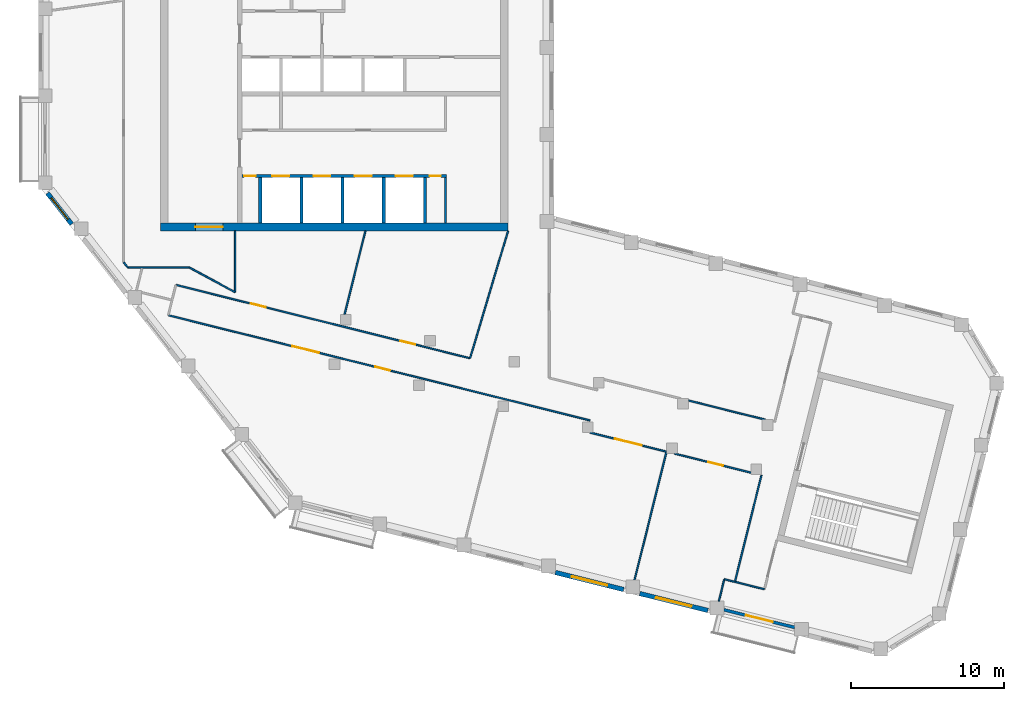
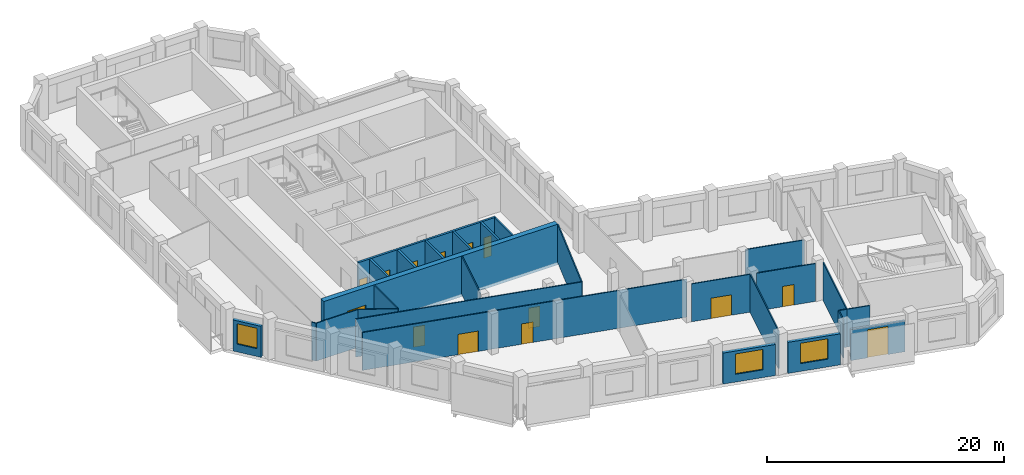
# One storey, part 3 of 8: 28 walls, 14 doors, 3 windows, 17 openings.
"""IFC4 building model written with IfcOpenShell, lengths in metres."""

from ifc_helpers import new_model, si_unit, direction, frame, frame_2d, origin, place, context, subcontext, project, spatial, rectangle, extrude, material, layer, layer_set, type_object, element, fill, save


model = new_model("IFC4")

# Units and contexts
model_context = context("Model", 3, precision=1e-05, world=origin(), true_north=direction((0.0, 1.0)))
body_context = subcontext(model_context, "Body", "Model", "MODEL_VIEW")
ifc_project = project(units=[si_unit("LENGTHUNIT", "METRE"), si_unit("AREAUNIT", "SQUARE_METRE"), si_unit("VOLUMEUNIT", "CUBIC_METRE"), si_unit("PLANEANGLEUNIT", "RADIAN"), si_unit("MASSUNIT", "GRAM", prefix="KILO")], contexts=[model_context])

# Site, building, storey
site_placement = place(None, origin())
site = spatial("IfcSite", under=ifc_project, at=site_placement, CompositionType="ELEMENT")
building_placement = place(site_placement, origin())
building = spatial("IfcBuilding", under=site, at=building_placement, Name="Meshkara Civic Tower", CompositionType="ELEMENT")
storey_placement = place(building_placement, frame((0.0, 0.0, 358.199951171875)))
storey = spatial("IfcBuildingStorey", under=building, at=storey_placement, Name="L82", CompositionType="ELEMENT", Elevation=358.199951171875)

# Wall
ifc_material_1 = material(Name="Blockwork", Category="masonry")
ifc_layer_1 = layer(ifc_material_1, 0.14990234375)
ifc_layer_set_1 = layer_set([ifc_layer_1], Name="Core partition 150")
wall_type_1 = type_object("IfcWallType", Name="Core partition 150", PredefinedType="PARTITIONING", material=ifc_layer_set_1)
wall_1_placement = place(storey_placement, frame((26.699951171875, 14.60009765625, 0.0), z_axis=(0.0, 0.0, 1.0), x_axis=(0.0, 1.0, 0.0)))
element("IfcWall", 1, at=wall_1_placement, inside=storey, type_object=wall_type_1, Name="L82-C025", PredefinedType="PARTITIONING", context=body_context, shape_type="SweptSolid", body=[
    extrude(rectangle(XDim=3.0, YDim=0.14990234375, at=frame_2d((1.5, 0.0))), origin(), (0.0, 0.0, 1.0), 3.900146484375),
])

# Wall, opening, door
ifc_material_2 = material(Name="Concrete C50", Category="concrete")
ifc_layer_2 = layer(ifc_material_2, 0.5)
ifc_layer_set_2 = layer_set([ifc_layer_2], Name="Core ring wall 500 C50")
wall_type_2 = type_object("IfcWallType", Name="Core ring wall 500 C50", PredefinedType="SHEAR", material=ifc_layer_set_2)
wall_2_placement = place(storey_placement, frame((8.0, 14.35009765625, -0.300048828125), z_axis=(0.0, 0.0, 1.0), x_axis=(1.0, 0.0, 0.0)))
wall_2 = element("IfcWall", 2, at=wall_2_placement, inside=storey, type_object=wall_type_2, Name="L82-C001", PredefinedType="SHEAR", context=body_context, shape_type="SweptSolid", body=[
    extrude(rectangle(XDim=22.800048828125, YDim=0.5, at=frame_2d((11.39990234375, 0.0))), origin(), (0.0, 0.0, 1.0), 4.2001953125),
])
opening_1_placement = place(wall_2_placement, frame((2.300048828125, 0.0, 0.300048828125)))
opening_1 = element("IfcOpeningElement", 3, at=opening_1_placement, cuts=wall_2, Name="Opening L82-K023", PredefinedType="OPENING", context=body_context, shape_type="SweptSolid", body=[
    extrude(rectangle(XDim=1.800048828125, YDim=2.10009765625, at=frame_2d((0.89990234375, 1.050048828125))), frame((0.0, 0.260009765625, 0.0), z_axis=(0.0, -1.0, 0.0), x_axis=(1.0, 0.0, 0.0)), (0.0, 0.0, 1.0), 0.52001953125),
])
ifc_material_3 = material(Name="Fire-rated door leaf in steel frame", Category="steel")
door_type_1 = type_object("IfcDoorType", Name="Core double door 1800 EI 60", OperationType="DOUBLE_DOOR_SINGLE_SWING", PredefinedType="DOOR", material=ifc_material_3)
door_1_placement = place(opening_1_placement, origin())
door_1 = element("IfcDoor", 4, at=door_1_placement, inside=storey, type_object=door_type_1, Name="L82-K023", OperationType="DOUBLE_DOOR_SINGLE_SWING", OverallHeight=2.10009765625, OverallWidth=1.800048828125, PredefinedType="DOOR", context=body_context, shape_type="SweptSolid", body=[
    extrude(rectangle(XDim=1.800048828125, YDim=2.10009765625, at=frame_2d((0.89990234375, 1.050048828125))), frame((0.0, 0.02490234375, 0.0), z_axis=(0.0, -1.0, 0.0), x_axis=(1.0, 0.0, 0.0)), (0.0, 0.0, 1.0), 0.050048828125),
])
fill(opening_1, door_1)

# Walls
ifc_material_4 = material(Name="Corridor wall 100")
ifc_layer_3 = layer(ifc_material_4, 0.10009765625)
ifc_layer_set_3 = layer_set([ifc_layer_3], Name="Corridor wall 100")
wall_type_3 = type_object("IfcWallType", Name="Corridor wall 100", PredefinedType="PARTITIONING", material=ifc_layer_set_3)
wall_3_placement = place(storey_placement, frame((5.60009765625, 12.0439453125, 0.0), z_axis=(0.0, 0.0, 1.0), x_axis=(0.614328236968, -0.789050579661, 0.0)))
element("IfcWall", 5, at=wall_3_placement, inside=storey, type_object=wall_type_3, Name="L82-W003", PredefinedType="PARTITIONING", context=body_context, shape_type="SweptSolid", body=[
    extrude(rectangle(XDim=0.43603515625, YDim=0.10009765625, at=frame_2d((0.218017578125, 0.0))), origin(), (0.0, 0.0, 1.0), 3.900146484375),
])
wall_4_placement = place(storey_placement, frame((5.867919921875, 11.699951171875, 0.0), z_axis=(0.0, 0.0, 1.0), x_axis=(1.0, 0.0, 0.0)))
element("IfcWall", 6, at=wall_4_placement, inside=storey, type_object=wall_type_3, Name="L82-W006", PredefinedType="PARTITIONING", context=body_context, shape_type="SweptSolid", body=[
    extrude(rectangle(XDim=4.031982421875, YDim=0.10009765625, at=frame_2d((2.01611328125, 0.0))), origin(), (0.0, 0.0, 1.0), 3.900146484375),
])

# Wall, openings, doors
wall_5_placement = place(storey_placement, frame((8.52099609375, 8.56689453125, 0.0), z_axis=(0.0, 0.0, 1.0), x_axis=(0.970303035129, -0.241892579506, 0.0)))
wall_5 = element("IfcWall", 7, at=wall_5_placement, inside=storey, type_object=wall_type_3, Name="L82-W007", PredefinedType="PARTITIONING", context=body_context, shape_type="SweptSolid", body=[
    extrude(rectangle(XDim=28.49951171875, YDim=0.10009765625, at=frame_2d((14.249755859375, 0.0))), origin(), (0.0, 0.0, 1.0), 3.900146484375),
])
opening_2_placement = place(wall_5_placement, frame((13.97998046875, 0.0, 0.0)))
opening_2 = element("IfcOpeningElement", 8, at=opening_2_placement, cuts=wall_5, Name="Opening L82-D003", PredefinedType="OPENING", context=body_context, shape_type="SweptSolid", body=[
    extrude(rectangle(XDim=1.0, YDim=2.10009765625, at=frame_2d((0.5, 1.050048828125))), frame((0.0, 0.06005859375, 0.0), z_axis=(0.0, -1.0, 0.0), x_axis=(1.0, 0.0, 0.0)), (0.0, 0.0, 1.0), 0.1201171875),
])
opening_3_placement = place(wall_5_placement, frame((8.3798828125, 0.0, 0.0)))
opening_3 = element("IfcOpeningElement", 9, at=opening_3_placement, cuts=wall_5, Name="Opening L82-D007", PredefinedType="OPENING", context=body_context, shape_type="SweptSolid", body=[
    extrude(rectangle(XDim=1.800048828125, YDim=2.10009765625, at=frame_2d((0.89990234375, 1.050048828125))), frame((0.0, 0.06005859375, 0.0), z_axis=(0.0, -1.0, 0.0), x_axis=(1.0, 0.0, 0.0)), (0.0, 0.0, 1.0), 0.1201171875),
])
ifc_material_5 = material(Name="Door 1000 x 2100")
door_type_2 = type_object("IfcDoorType", Name="Door 1000 x 2100", OperationType="SINGLE_SWING_LEFT", PredefinedType="DOOR", material=ifc_material_5)
door_2_placement = place(opening_2_placement, origin())
door_2 = element("IfcDoor", 10, at=door_2_placement, inside=storey, type_object=door_type_2, Name="L82-D003", OperationType="SINGLE_SWING_LEFT", OverallHeight=2.10009765625, OverallWidth=1.0, PredefinedType="DOOR", context=body_context, shape_type="SweptSolid", body=[
    extrude(rectangle(XDim=1.0, YDim=2.10009765625, at=frame_2d((0.5, 1.050048828125))), frame((0.0, 0.02490234375, 0.0), z_axis=(0.0, -1.0, 0.0), x_axis=(1.0, 0.0, 0.0)), (0.0, 0.0, 1.0), 0.050048828125),
])
fill(opening_2, door_2)
ifc_material_6 = material(Name="Door pair 1800 x 2100")
door_type_3 = type_object("IfcDoorType", Name="Door pair 1800 x 2100", OperationType="SINGLE_SWING_LEFT", PredefinedType="DOOR", material=ifc_material_6)
door_3_placement = place(opening_3_placement, origin())
door_3 = element("IfcDoor", 11, at=door_3_placement, inside=storey, type_object=door_type_3, Name="L82-D007", OperationType="DOUBLE_DOOR_SINGLE_SWING", OverallHeight=2.10009765625, OverallWidth=1.800048828125, PredefinedType="DOOR", context=body_context, shape_type="SweptSolid", body=[
    extrude(rectangle(XDim=1.800048828125, YDim=2.10009765625, at=frame_2d((0.89990234375, 1.050048828125))), frame((0.0, 0.02490234375, 0.0), z_axis=(0.0, -1.0, 0.0), x_axis=(1.0, 0.0, 0.0)), (0.0, 0.0, 1.0), 0.050048828125),
])
fill(opening_3, door_3)

wall_6_placement = place(storey_placement, frame((9.01708984375, 10.55810546875, 0.0), z_axis=(0.0, 0.0, 1.0), x_axis=(0.970286089829, -0.241960542, 0.0)))
wall_6 = element("IfcWall", 12, at=wall_6_placement, inside=storey, type_object=wall_type_3, Name="L82-W008", PredefinedType="PARTITIONING", context=body_context, shape_type="SweptSolid", body=[
    extrude(rectangle(XDim=19.87939453125, YDim=0.10009765625, at=frame_2d((9.939697265625, 0.0))), origin(), (0.0, 0.0, 1.0), 3.900146484375),
])
opening_4_placement = place(wall_6_placement, frame((5.080078125, 0.0, 0.0)))
opening_4 = element("IfcOpeningElement", 13, at=opening_4_placement, cuts=wall_6, Name="Opening L82-D006", PredefinedType="OPENING", context=body_context, shape_type="SweptSolid", body=[
    extrude(rectangle(XDim=1.0, YDim=2.10009765625, at=frame_2d((0.5, 1.050048828125))), frame((0.0, 0.06005859375, 0.0), z_axis=(0.0, -1.0, 0.0), x_axis=(1.0, 0.0, 0.0)), (0.0, 0.0, 1.0), 0.1201171875),
])
opening_5_placement = place(wall_6_placement, frame((15.18408203125, 0.0, 0.0)))
opening_5 = element("IfcOpeningElement", 14, at=opening_5_placement, cuts=wall_6, Name="Opening L82-D008", PredefinedType="OPENING", context=body_context, shape_type="SweptSolid", body=[
    extrude(rectangle(XDim=1.0, YDim=2.10009765625, at=frame_2d((0.5, 1.050048828125))), frame((0.0, 0.06005859375, 0.0), z_axis=(0.0, -1.0, 0.0), x_axis=(1.0, 0.0, 0.0)), (0.0, 0.0, 1.0), 0.1201171875),
])
door_4_placement = place(opening_4_placement, origin())
door_4 = element("IfcDoor", 15, at=door_4_placement, inside=storey, type_object=door_type_2, Name="L82-D006", OperationType="SINGLE_SWING_LEFT", OverallHeight=2.10009765625, OverallWidth=1.0, PredefinedType="DOOR", context=body_context, shape_type="SweptSolid", body=[
    extrude(rectangle(XDim=1.0, YDim=2.10009765625, at=frame_2d((0.5, 1.050048828125))), frame((0.0, 0.02490234375, 0.0), z_axis=(0.0, -1.0, 0.0), x_axis=(1.0, 0.0, 0.0)), (0.0, 0.0, 1.0), 0.050048828125),
])
fill(opening_4, door_4)
door_5_placement = place(opening_5_placement, origin())
door_5 = element("IfcDoor", 16, at=door_5_placement, inside=storey, type_object=door_type_2, Name="L82-D008", OperationType="SINGLE_SWING_RIGHT", OverallHeight=2.10009765625, OverallWidth=1.0, PredefinedType="DOOR", context=body_context, shape_type="SweptSolid", body=[
    extrude(rectangle(XDim=1.0, YDim=2.10009765625, at=frame_2d((0.5, 1.050048828125))), frame((0.0, 0.02490234375, 0.0), z_axis=(0.0, -1.0, 0.0), x_axis=(1.0, 0.0, 0.0)), (0.0, 0.0, 1.0), 0.050048828125),
])
fill(opening_5, door_5)

# Walls
wall_7_placement = place(storey_placement, frame((9.89990234375, 11.699951171875, 0.0), z_axis=(0.0, 0.0, 1.0), x_axis=(0.87965147249, -0.475618846291, 0.0)))
element("IfcWall", 17, at=wall_7_placement, inside=storey, type_object=wall_type_3, Name="L82-W010", PredefinedType="PARTITIONING", context=body_context, shape_type="SweptSolid", body=[
    extrude(rectangle(XDim=3.410400390625, YDim=0.10009765625, at=frame_2d((1.705078125, 0.0))), origin(), (0.0, 0.0, 1.0), 3.900146484375),
])
wall_8_placement = place(storey_placement, frame((12.89990234375, 10.077880859375, 0.0), z_axis=(0.0, 0.0, 1.0), x_axis=(0.0, 1.0, 0.0)))
element("IfcWall", 18, at=wall_8_placement, inside=storey, type_object=wall_type_3, Name="L82-W015", PredefinedType="PARTITIONING", context=body_context, shape_type="SweptSolid", body=[
    extrude(rectangle(XDim=4.022216796875, YDim=0.10009765625, at=frame_2d((2.01123046875, 0.0))), origin(), (0.0, 0.0, 1.0), 3.900146484375),
])
wall_9_placement = place(storey_placement, frame((30.800048828125, 14.10009765625, 0.0), z_axis=(0.0, 0.0, 1.0), x_axis=(-0.286139929679, -0.958187842045, 0.0)))
element("IfcWall", 19, at=wall_9_placement, inside=storey, type_object=wall_type_3, Name="L82-W018", PredefinedType="PARTITIONING", context=body_context, shape_type="SweptSolid", body=[
    extrude(rectangle(XDim=8.716552734375, YDim=0.10009765625, at=frame_2d((4.3583984375, 0.0))), origin(), (0.0, 0.0, 1.0), 3.900146484375),
])

# Wall, opening, door
wall_10_placement = place(storey_placement, frame((36.179931640625, 0.873046875, 0.0), z_axis=(0.0, 0.0, 1.0), x_axis=(0.970323094186, -0.241812102446, 0.0)))
wall_10 = element("IfcWall", 20, at=wall_10_placement, inside=storey, type_object=wall_type_3, Name="L82-W021", PredefinedType="PARTITIONING", context=body_context, shape_type="SweptSolid", body=[
    extrude(rectangle(XDim=5.1611328125, YDim=0.10009765625, at=frame_2d((2.58056640625, 0.0))), origin(), (0.0, 0.0, 1.0), 3.900146484375),
])
opening_6_placement = place(wall_10_placement, frame((1.679931640625, 0.0, 0.0)))
opening_6 = element("IfcOpeningElement", 21, at=opening_6_placement, cuts=wall_10, Name="Opening L82-D004", PredefinedType="OPENING", context=body_context, shape_type="SweptSolid", body=[
    extrude(rectangle(XDim=1.800048828125, YDim=2.10009765625, at=frame_2d((0.89990234375, 1.050048828125))), frame((0.0, 0.06005859375, 0.0), z_axis=(0.0, -1.0, 0.0), x_axis=(1.0, 0.0, 0.0)), (0.0, 0.0, 1.0), 0.1201171875),
])
door_6_placement = place(opening_6_placement, origin())
door_6 = element("IfcDoor", 22, at=door_6_placement, inside=storey, type_object=door_type_3, Name="L82-D004", OperationType="DOUBLE_DOOR_SINGLE_SWING", OverallHeight=2.10009765625, OverallWidth=1.800048828125, PredefinedType="DOOR", context=body_context, shape_type="SweptSolid", body=[
    extrude(rectangle(XDim=1.800048828125, YDim=2.10009765625, at=frame_2d((0.89990234375, 1.050048828125))), frame((0.0, 0.02490234375, 0.0), z_axis=(0.0, -1.0, 0.0), x_axis=(1.0, 0.0, 0.0)), (0.0, 0.0, 1.0), 0.050048828125),
])
fill(opening_6, door_6)

wall_11_placement = place(storey_placement, frame((41.712890625, -0.506103515625, 0.0), z_axis=(0.0, 0.0, 1.0), x_axis=(0.970303472342, -0.241890825708, 0.0)))
wall_11 = element("IfcWall", 23, at=wall_11_placement, inside=storey, type_object=wall_type_3, Name="L82-W023", PredefinedType="PARTITIONING", context=body_context, shape_type="SweptSolid", body=[
    extrude(rectangle(XDim=5.167724609375, YDim=0.10009765625, at=frame_2d((2.583984375, 0.0))), origin(), (0.0, 0.0, 1.0), 3.900146484375),
])
opening_7_placement = place(wall_11_placement, frame((2.280029296875, 0.0, 0.0)))
opening_7 = element("IfcOpeningElement", 24, at=opening_7_placement, cuts=wall_11, Name="Opening L82-D002", PredefinedType="OPENING", context=body_context, shape_type="SweptSolid", body=[
    extrude(rectangle(XDim=1.0, YDim=2.10009765625, at=frame_2d((0.5, 1.050048828125))), frame((0.0, 0.06005859375, 0.0), z_axis=(0.0, -1.0, 0.0), x_axis=(1.0, 0.0, 0.0)), (0.0, 0.0, 1.0), 0.1201171875),
])
door_7_placement = place(opening_7_placement, origin())
door_7 = element("IfcDoor", 25, at=door_7_placement, inside=storey, type_object=door_type_2, Name="L82-D002", OperationType="SINGLE_SWING_LEFT", OverallHeight=2.10009765625, OverallWidth=1.0, PredefinedType="DOOR", context=body_context, shape_type="SweptSolid", body=[
    extrude(rectangle(XDim=1.0, YDim=2.10009765625, at=frame_2d((0.5, 1.050048828125))), frame((0.0, 0.02490234375, 0.0), z_axis=(0.0, -1.0, 0.0), x_axis=(1.0, 0.0, 0.0)), (0.0, 0.0, 1.0), 0.050048828125),
])
fill(opening_7, door_7)

# Walls
wall_12_placement = place(storey_placement, frame((45.669921875, -8.9130859375, 0.0), z_axis=(0.0, 0.0, 1.0), x_axis=(0.970307382734, -0.241875139301, 0.0)))
element("IfcWall", 26, at=wall_12_placement, inside=storey, type_object=wall_type_3, Name="L82-W025", PredefinedType="PARTITIONING", context=body_context, shape_type="SweptSolid", body=[
    extrude(rectangle(XDim=2.00048828125, YDim=0.10009765625, at=frame_2d((1.000244140625, 0.0))), origin(), (0.0, 0.0, 1.0), 3.900146484375),
])
wall_13_placement = place(storey_placement, frame((47.412109375, -1.927001953125, 0.0), z_axis=(0.0, 0.0, 1.0), x_axis=(-0.241969116819, -0.970283951483, 0.0)))
element("IfcWall", 27, at=wall_13_placement, inside=storey, type_object=wall_type_3, Name="L82-W026", PredefinedType="PARTITIONING", context=body_context, shape_type="SweptSolid", body=[
    extrude(rectangle(XDim=7.199951171875, YDim=0.10009765625, at=frame_2d((3.60009765625, 0.0))), origin(), (0.0, 0.0, 1.0), 3.900146484375),
])
wall_14_placement = place(storey_placement, frame((47.64111328125, 1.72607421875, 0.0), z_axis=(0.0, 0.0, 1.0), x_axis=(-0.97031439286, 0.241847015712, 0.0)))
element("IfcWall", 28, at=wall_14_placement, inside=storey, type_object=wall_type_3, Name="L82-W028", PredefinedType="PARTITIONING", context=body_context, shape_type="SweptSolid", body=[
    extrude(rectangle(XDim=5.172607421875, YDim=0.10009765625, at=frame_2d((2.58642578125, 0.0))), origin(), (0.0, 0.0, 1.0), 3.900146484375),
])

# Wall, opening, window
ifc_material_7 = material(Name="Insulated infill panel with bronze anodised aluminium cladding", Category="aluminium")
ifc_layer_4 = layer(ifc_material_7, 0.300048828125)
ifc_layer_set_4 = layer_set([ifc_layer_4], Name="EXTERNAL INFILL WALL 300")
wall_type_4 = type_object("IfcWallType", Name="EXTERNAL INFILL WALL 300", PredefinedType="SOLIDWALL", material=ifc_layer_set_4)
wall_15_placement = place(storey_placement, frame((0.60205078125, 16.572998046875, 0.0), z_axis=(0.0, 0.0, 1.0), x_axis=(0.61568999437, -0.787988471256, 0.0)))
wall_15 = element("IfcWall", 29, at=wall_15_placement, inside=storey, type_object=wall_type_4, Name="External wall", PredefinedType="SOLIDWALL", context=body_context, shape_type="SweptSolid", body=[
    extrude(rectangle(XDim=2.577392578125, YDim=0.300048828125, at=frame_2d((1.28857421875, 0.0))), origin(), (0.0, 0.0, 1.0), 3.199951171875),
])
opening_8_placement = place(wall_15_placement, frame((0.387939453125, 0.0, 0.800048828125)))
opening_8 = element("IfcOpeningElement", 30, at=opening_8_placement, cuts=wall_15, Name="Opening W9", PredefinedType="OPENING", context=body_context, shape_type="SweptSolid", body=[
    extrude(rectangle(XDim=1.800048828125, YDim=2.10009765625, at=frame_2d((0.89990234375, 1.050048828125))), frame((0.0, 0.159912109375, 0.0), z_axis=(0.0, -1.0, 0.0), x_axis=(1.0, 0.0, 0.0)), (0.0, 0.0, 1.0), 0.320068359375),
])
ifc_material_8 = material(Name="Tinted double glazing", Category="glass")
window_type_1 = type_object("IfcWindowType", Name="WINDOW 1800x2100", PartitioningType="DOUBLE_PANEL_VERTICAL", PredefinedType="WINDOW", material=ifc_material_8)
window_1_placement = place(opening_8_placement, origin())
window_1 = element("IfcWindow", 31, at=window_1_placement, inside=storey, type_object=window_type_1, Name="Window", OverallHeight=2.10009765625, OverallWidth=1.800048828125, PartitioningType="DOUBLE_PANEL_VERTICAL", PredefinedType="WINDOW", context=body_context, shape_type="SweptSolid", body=[
    extrude(rectangle(XDim=1.800048828125, YDim=2.10009765625, at=frame_2d((0.89990234375, 1.050048828125))), frame((0.0, 0.030029296875, 0.0), z_axis=(0.0, -1.0, 0.0), x_axis=(1.0, 0.0, 0.0)), (0.0, 0.0, 1.0), 0.06005859375),
])
fill(opening_8, window_1)

wall_16_placement = place(storey_placement, frame((33.89990234375, -8.298095703125, 0.0), z_axis=(0.0, 0.0, 1.0), x_axis=(0.970298093093, -0.241912402618, 0.0)))
wall_16 = element("IfcWall", 32, at=wall_16_placement, inside=storey, type_object=wall_type_4, Name="External wall", PredefinedType="SOLIDWALL", context=body_context, shape_type="SweptSolid", body=[
    extrude(rectangle(XDim=4.609130859375, YDim=0.300048828125, at=frame_2d((2.3046875, 0.0))), origin(), (0.0, 0.0, 1.0), 3.199951171875),
])
opening_9_placement = place(wall_16_placement, frame((1.10498046875, 0.0, 0.800048828125)))
opening_9 = element("IfcOpeningElement", 33, at=opening_9_placement, cuts=wall_16, Name="Opening W7", PredefinedType="OPENING", context=body_context, shape_type="SweptSolid", body=[
    extrude(rectangle(XDim=2.39990234375, YDim=2.10009765625, at=frame_2d((1.199951171875, 1.050048828125))), frame((0.0, 0.159912109375, 0.0), z_axis=(0.0, -1.0, 0.0), x_axis=(1.0, 0.0, 0.0)), (0.0, 0.0, 1.0), 0.320068359375),
])
ifc_material_9 = material(Name="Tinted double glazing", Category="glass")
window_type_2 = type_object("IfcWindowType", Name="WINDOW 2400x2100", PartitioningType="DOUBLE_PANEL_VERTICAL", PredefinedType="WINDOW", material=ifc_material_9)
window_2_placement = place(opening_9_placement, origin())
window_2 = element("IfcWindow", 34, at=window_2_placement, inside=storey, type_object=window_type_2, Name="Window", OverallHeight=2.10009765625, OverallWidth=2.39990234375, PartitioningType="DOUBLE_PANEL_VERTICAL", PredefinedType="WINDOW", context=body_context, shape_type="SweptSolid", body=[
    extrude(rectangle(XDim=2.39990234375, YDim=2.10009765625, at=frame_2d((1.199951171875, 1.050048828125))), frame((0.0, 0.030029296875, 0.0), z_axis=(0.0, -1.0, 0.0), x_axis=(1.0, 0.0, 0.0)), (0.0, 0.0, 1.0), 0.06005859375),
])
fill(opening_9, window_2)

wall_17_placement = place(storey_placement, frame((39.430908203125, -9.677001953125, 0.0), z_axis=(0.0, 0.0, 1.0), x_axis=(0.970285689791, -0.241962146187, 0.0)))
wall_17 = element("IfcWall", 35, at=wall_17_placement, inside=storey, type_object=wall_type_4, Name="External wall", PredefinedType="SOLIDWALL", context=body_context, shape_type="SweptSolid", body=[
    extrude(rectangle(XDim=4.608154296875, YDim=0.300048828125, at=frame_2d((2.30419921875, 0.0))), origin(), (0.0, 0.0, 1.0), 3.199951171875),
])
opening_10_placement = place(wall_17_placement, frame((1.10400390625, 0.0, 0.800048828125)))
opening_10 = element("IfcOpeningElement", 36, at=opening_10_placement, cuts=wall_17, Name="Opening W7", PredefinedType="OPENING", context=body_context, shape_type="SweptSolid", body=[
    extrude(rectangle(XDim=2.39990234375, YDim=2.10009765625, at=frame_2d((1.199951171875, 1.050048828125))), frame((0.0, 0.159912109375, 0.0), z_axis=(0.0, -1.0, 0.0), x_axis=(1.0, 0.0, 0.0)), (0.0, 0.0, 1.0), 0.320068359375),
])
window_3_placement = place(opening_10_placement, origin())
window_3 = element("IfcWindow", 37, at=window_3_placement, inside=storey, type_object=window_type_2, Name="Window", OverallHeight=2.10009765625, OverallWidth=2.39990234375, PartitioningType="DOUBLE_PANEL_VERTICAL", PredefinedType="WINDOW", context=body_context, shape_type="SweptSolid", body=[
    extrude(rectangle(XDim=2.39990234375, YDim=2.10009765625, at=frame_2d((1.199951171875, 1.050048828125))), frame((0.0, 0.030029296875, 0.0), z_axis=(0.0, -1.0, 0.0), x_axis=(1.0, 0.0, 0.0)), (0.0, 0.0, 1.0), 0.06005859375),
])
fill(opening_10, window_3)

# Wall, opening, door
ifc_material_10 = material(Name="Insulated infill panel with bronze anodised aluminium cladding", Category="aluminium")
ifc_layer_5 = layer(ifc_material_10, 0.199951171875)
ifc_layer_set_5 = layer_set([ifc_layer_5], Name="LOGGIA BACK WALL 200")
wall_type_5 = type_object("IfcWallType", Name="LOGGIA BACK WALL 200", PredefinedType="SOLIDWALL", material=ifc_layer_set_5)
wall_18_placement = place(storey_placement, frame((44.9541015625, -10.7451171875, 0.0), z_axis=(0.0, 0.0, 1.0), x_axis=(0.970334783127, -0.241765193223, 0.0)))
wall_18 = element("IfcWall", 38, at=wall_18_placement, inside=storey, type_object=wall_type_5, Name="Loggia wall", PredefinedType="SOLIDWALL", context=body_context, shape_type="SweptSolid", body=[
    extrude(rectangle(XDim=4.7724609375, YDim=0.199951171875, at=frame_2d((2.38623046875, 0.0))), origin(), (0.0, 0.0, 1.0), 3.199951171875),
])
opening_11_placement = place(wall_18_placement, frame((1.486083984375, 0.0, 0.0)))
opening_11 = element("IfcOpeningElement", 39, at=opening_11_placement, cuts=wall_18, Name="Opening L82-L004", PredefinedType="OPENING", context=body_context, shape_type="SweptSolid", body=[
    extrude(rectangle(XDim=1.800048828125, YDim=2.89990234375, at=frame_2d((0.89990234375, 1.449951171875))), frame((0.0, 0.10986328125, 0.0), z_axis=(0.0, -1.0, 0.0), x_axis=(1.0, 0.0, 0.0)), (0.0, 0.0, 1.0), 0.219970703125),
])
ifc_material_11 = material(Name="Tinted double glazing", Category="glass")
door_type_4 = type_object("IfcDoorType", Name="LOGGIA DOOR 1800x2900", OperationType="DOUBLE_DOOR_SINGLE_SWING", PredefinedType="DOOR", material=ifc_material_11)
door_8_placement = place(opening_11_placement, origin())
door_8 = element("IfcDoor", 40, at=door_8_placement, inside=storey, type_object=door_type_4, Name="L82-L004", OperationType="DOUBLE_DOOR_SINGLE_SWING", OverallHeight=2.89990234375, OverallWidth=1.800048828125, PredefinedType="DOOR", context=body_context, shape_type="SweptSolid", body=[
    extrude(rectangle(XDim=1.800048828125, YDim=2.89990234375, at=frame_2d((0.89990234375, 1.449951171875))), frame((0.0, 0.02490234375, 0.0), z_axis=(0.0, -1.0, 0.0), x_axis=(1.0, 0.0, 0.0)), (0.0, 0.0, 1.0), 0.050048828125),
])
fill(opening_11, door_8)

# Walls
ifc_material_12 = material(Name="Partition 100")
ifc_layer_6 = layer(ifc_material_12, 0.10009765625)
ifc_layer_set_6 = layer_set([ifc_layer_6], Name="Partition 100")
wall_type_6 = type_object("IfcWallType", Name="Partition 100", PredefinedType="PARTITIONING", material=ifc_layer_set_6)
wall_19_placement = place(storey_placement, frame((20.0810546875, 8.62109375, 0.0), z_axis=(0.0, 0.0, 1.0), x_axis=(0.241904838353, 0.970299978966, 0.0)))
element("IfcWall", 41, at=wall_19_placement, inside=storey, type_object=wall_type_6, Name="L82-W037", PredefinedType="PARTITIONING", context=body_context, shape_type="SweptSolid", body=[
    extrude(rectangle(XDim=5.646728515625, YDim=0.10009765625, at=frame_2d((2.8232421875, 0.0))), origin(), (0.0, 0.0, 1.0), 3.900146484375),
])
wall_20_placement = place(storey_placement, frame((39.0859375, -8.803955078125, 0.0), z_axis=(0.0, 0.0, 1.0), x_axis=(0.241973508816, 0.970282856198, 0.0)))
element("IfcWall", 42, at=wall_20_placement, inside=storey, type_object=wall_type_6, Name="L82-W039", PredefinedType="PARTITIONING", context=body_context, shape_type="SweptSolid", body=[
    extrude(rectangle(XDim=8.68701171875, YDim=0.10009765625, at=frame_2d((4.343505859375, 0.0))), origin(), (0.0, 0.0, 1.0), 3.900146484375),
])
wall_21_placement = place(storey_placement, frame((44.616943359375, -10.18310546875, 0.0), z_axis=(0.0, 0.0, 1.0), x_axis=(0.242110761362, 0.970248617228, 0.0)))
element("IfcWall", 43, at=wall_21_placement, inside=storey, type_object=wall_type_6, Name="L82-W040", PredefinedType="PARTITIONING", context=body_context, shape_type="SweptSolid", body=[
    extrude(rectangle(XDim=1.4873046875, YDim=0.10009765625, at=frame_2d((0.74365234375, 0.0))), origin(), (0.0, 0.0, 1.0), 3.900146484375),
])
wall_22_placement = place(storey_placement, frame((44.97705078125, -8.739990234375, 0.0), z_axis=(0.0, 0.0, 1.0), x_axis=(0.970202439735, -0.242295740641, 0.0)))
element("IfcWall", 44, at=wall_22_placement, inside=storey, type_object=wall_type_6, Name="L82-W041", PredefinedType="PARTITIONING", context=body_context, shape_type="SweptSolid", body=[
    extrude(rectangle(XDim=0.718505859375, YDim=0.10009765625, at=frame_2d((0.359375, 0.0))), origin(), (0.0, 0.0, 1.0), 3.900146484375),
])

# Wall, openings, doors
ifc_material_13 = material(Name="Concrete C40/50", Category="concrete")
ifc_layer_7 = layer(ifc_material_13, 0.199951171875)
ifc_layer_set_7 = layer_set([ifc_layer_7], Name="Shaft wall 200 C40/50")
wall_type_7 = type_object("IfcWallType", Name="Shaft wall 200 C40/50", PredefinedType="SOLIDWALL", material=ifc_layer_set_7)
wall_23_placement = place(storey_placement, frame((13.35009765625, 17.699951171875, 0.0), z_axis=(0.0, 0.0, 1.0), x_axis=(1.0, 0.0, 0.0)))
wall_23 = element("IfcWall", 45, at=wall_23_placement, inside=storey, type_object=wall_type_7, Name="L82-C005", PredefinedType="SOLIDWALL", context=body_context, shape_type="SweptSolid", body=[
    extrude(rectangle(XDim=13.4248046875, YDim=0.199951171875, at=frame_2d((6.71240234375, 0.0))), origin(), (0.0, 0.0, 1.0), 3.900146484375),
])
opening_12_placement = place(wall_23_placement, frame((2.0, 0.0, 0.0)))
opening_12 = element("IfcOpeningElement", 46, at=opening_12_placement, cuts=wall_23, Name="Opening L82-K001", PredefinedType="OPENING", context=body_context, shape_type="SweptSolid", body=[
    extrude(rectangle(XDim=1.10009765625, YDim=2.10009765625, at=frame_2d((0.550048828125, 1.050048828125))), frame((0.0, 0.10986328125, 0.0), z_axis=(0.0, -1.0, 0.0), x_axis=(1.0, 0.0, 0.0)), (0.0, 0.0, 1.0), 0.219970703125),
])
opening_13_placement = place(wall_23_placement, frame((4.699951171875, 0.0, 0.0)))
opening_13 = element("IfcOpeningElement", 47, at=opening_13_placement, cuts=wall_23, Name="Opening L82-K002", PredefinedType="OPENING", context=body_context, shape_type="SweptSolid", body=[
    extrude(rectangle(XDim=1.10009765625, YDim=2.10009765625, at=frame_2d((0.550048828125, 1.050048828125))), frame((0.0, 0.10986328125, 0.0), z_axis=(0.0, -1.0, 0.0), x_axis=(1.0, 0.0, 0.0)), (0.0, 0.0, 1.0), 0.219970703125),
])
opening_14_placement = place(wall_23_placement, frame((7.39990234375, 0.0, 0.0)))
opening_14 = element("IfcOpeningElement", 48, at=opening_14_placement, cuts=wall_23, Name="Opening L82-K003", PredefinedType="OPENING", context=body_context, shape_type="SweptSolid", body=[
    extrude(rectangle(XDim=1.10009765625, YDim=2.10009765625, at=frame_2d((0.550048828125, 1.050048828125))), frame((0.0, 0.10986328125, 0.0), z_axis=(0.0, -1.0, 0.0), x_axis=(1.0, 0.0, 0.0)), (0.0, 0.0, 1.0), 0.219970703125),
])
opening_15_placement = place(wall_23_placement, frame((10.10009765625, 0.0, 0.0)))
opening_15 = element("IfcOpeningElement", 49, at=opening_15_placement, cuts=wall_23, Name="Opening L82-K004", PredefinedType="OPENING", context=body_context, shape_type="SweptSolid", body=[
    extrude(rectangle(XDim=1.10009765625, YDim=2.10009765625, at=frame_2d((0.550048828125, 1.050048828125))), frame((0.0, 0.10986328125, 0.0), z_axis=(0.0, -1.0, 0.0), x_axis=(1.0, 0.0, 0.0)), (0.0, 0.0, 1.0), 0.219970703125),
])
opening_16_placement = place(wall_23_placement, frame((0.14990234375, 0.0, 0.0)))
opening_16 = element("IfcOpeningElement", 50, at=opening_16_placement, cuts=wall_23, Name="Opening L82-K009", PredefinedType="OPENING", context=body_context, shape_type="SweptSolid", body=[
    extrude(rectangle(XDim=0.75, YDim=2.10009765625, at=frame_2d((0.375, 1.050048828125))), frame((0.0, 0.10986328125, 0.0), z_axis=(0.0, -1.0, 0.0), x_axis=(1.0, 0.0, 0.0)), (0.0, 0.0, 1.0), 0.219970703125),
])
opening_17_placement = place(wall_23_placement, frame((12.300048828125, 0.0, 0.0)))
opening_17 = element("IfcOpeningElement", 51, at=opening_17_placement, cuts=wall_23, Name="Opening L82-K010", PredefinedType="OPENING", context=body_context, shape_type="SweptSolid", body=[
    extrude(rectangle(XDim=0.75, YDim=2.10009765625, at=frame_2d((0.375, 1.050048828125))), frame((0.0, 0.10986328125, 0.0), z_axis=(0.0, -1.0, 0.0), x_axis=(1.0, 0.0, 0.0)), (0.0, 0.0, 1.0), 0.219970703125),
])
ifc_material_14 = material(Name="Timber door leaf in steel frame", Category="steel")
door_type_5 = type_object("IfcDoorType", Name="Core room door 750", OperationType="SINGLE_SWING_LEFT", PredefinedType="DOOR", material=ifc_material_14)
door_9_placement = place(opening_16_placement, origin())
door_9 = element("IfcDoor", 52, at=door_9_placement, inside=storey, type_object=door_type_5, Name="L82-K009", OperationType="SINGLE_SWING_RIGHT", OverallHeight=2.10009765625, OverallWidth=0.75, PredefinedType="DOOR", context=body_context, shape_type="SweptSolid", body=[
    extrude(rectangle(XDim=0.75, YDim=2.10009765625, at=frame_2d((0.375, 1.050048828125))), frame((0.0, 0.02490234375, 0.0), z_axis=(0.0, -1.0, 0.0), x_axis=(1.0, 0.0, 0.0)), (0.0, 0.0, 1.0), 0.050048828125),
])
fill(opening_16, door_9)
door_10_placement = place(opening_17_placement, origin())
door_10 = element("IfcDoor", 53, at=door_10_placement, inside=storey, type_object=door_type_5, Name="L82-K010", OperationType="SINGLE_SWING_RIGHT", OverallHeight=2.10009765625, OverallWidth=0.75, PredefinedType="DOOR", context=body_context, shape_type="SweptSolid", body=[
    extrude(rectangle(XDim=0.75, YDim=2.10009765625, at=frame_2d((0.375, 1.050048828125))), frame((0.0, 0.02490234375, 0.0), z_axis=(0.0, -1.0, 0.0), x_axis=(1.0, 0.0, 0.0)), (0.0, 0.0, 1.0), 0.050048828125),
])
fill(opening_17, door_10)
ifc_material_15 = material(Name="Stainless steel landing door", Category="steel")
door_type_6 = type_object("IfcDoorType", Name="Lift landing door 1100", OperationType="SLIDING_TO_LEFT", PredefinedType="DOOR", material=ifc_material_15)
door_11_placement = place(opening_12_placement, origin())
door_11 = element("IfcDoor", 54, at=door_11_placement, inside=storey, type_object=door_type_6, Name="L82-K001", OperationType="SLIDING_TO_LEFT", OverallHeight=2.10009765625, OverallWidth=1.10009765625, PredefinedType="DOOR", context=body_context, shape_type="SweptSolid", body=[
    extrude(rectangle(XDim=1.10009765625, YDim=2.10009765625, at=frame_2d((0.550048828125, 1.050048828125))), frame((0.0, 0.02490234375, 0.0), z_axis=(0.0, -1.0, 0.0), x_axis=(1.0, 0.0, 0.0)), (0.0, 0.0, 1.0), 0.050048828125),
])
fill(opening_12, door_11)
door_12_placement = place(opening_13_placement, origin())
door_12 = element("IfcDoor", 55, at=door_12_placement, inside=storey, type_object=door_type_6, Name="L82-K002", OperationType="SLIDING_TO_LEFT", OverallHeight=2.10009765625, OverallWidth=1.10009765625, PredefinedType="DOOR", context=body_context, shape_type="SweptSolid", body=[
    extrude(rectangle(XDim=1.10009765625, YDim=2.10009765625, at=frame_2d((0.550048828125, 1.050048828125))), frame((0.0, 0.02490234375, 0.0), z_axis=(0.0, -1.0, 0.0), x_axis=(1.0, 0.0, 0.0)), (0.0, 0.0, 1.0), 0.050048828125),
])
fill(opening_13, door_12)
door_13_placement = place(opening_14_placement, origin())
door_13 = element("IfcDoor", 56, at=door_13_placement, inside=storey, type_object=door_type_6, Name="L82-K003", OperationType="SLIDING_TO_LEFT", OverallHeight=2.10009765625, OverallWidth=1.10009765625, PredefinedType="DOOR", context=body_context, shape_type="SweptSolid", body=[
    extrude(rectangle(XDim=1.10009765625, YDim=2.10009765625, at=frame_2d((0.550048828125, 1.050048828125))), frame((0.0, 0.02490234375, 0.0), z_axis=(0.0, -1.0, 0.0), x_axis=(1.0, 0.0, 0.0)), (0.0, 0.0, 1.0), 0.050048828125),
])
fill(opening_14, door_13)
door_14_placement = place(opening_15_placement, origin())
door_14 = element("IfcDoor", 57, at=door_14_placement, inside=storey, type_object=door_type_6, Name="L82-K004", OperationType="SLIDING_TO_LEFT", OverallHeight=2.10009765625, OverallWidth=1.10009765625, PredefinedType="DOOR", context=body_context, shape_type="SweptSolid", body=[
    extrude(rectangle(XDim=1.10009765625, YDim=2.10009765625, at=frame_2d((0.550048828125, 1.050048828125))), frame((0.0, 0.02490234375, 0.0), z_axis=(0.0, -1.0, 0.0), x_axis=(1.0, 0.0, 0.0)), (0.0, 0.0, 1.0), 0.050048828125),
])
fill(opening_15, door_14)

# Walls
for number, where, z_axis, x_axis, name in (
    (58, (14.550048828125, 14.60009765625, 0.0), (0.0, 0.0, 1.0), (0.0, 1.0, 0.0), "L82-C012"),
    (59, (17.25, 14.60009765625, 0.0), (0.0, 0.0, 1.0), (0.0, 1.0, 0.0), "L82-C015"),
    (60, (19.949951171875, 14.60009765625, 0.0), (0.0, 0.0, 1.0), (0.0, 1.0, 0.0), "L82-C017"),
    (61, (22.64990234375, 14.60009765625, 0.0), (0.0, 0.0, 1.0), (0.0, 1.0, 0.0), "L82-C021"),
    (62, (25.35009765625, 14.60009765625, 0.0), (0.0, 0.0, 1.0), (0.0, 1.0, 0.0), "L82-C024"),
):
    element("IfcWall", number, at=place(storey_placement, frame(where, z_axis=z_axis, x_axis=x_axis)), inside=storey, type_object=wall_type_7, Name=name, PredefinedType="SOLIDWALL", context=body_context, shape_type="SweptSolid", body=[
        extrude(rectangle(XDim=3.0, YDim=0.199951171875, at=frame_2d((1.5, 0.0))), origin(), (0.0, 0.0, 1.0), 3.900146484375),
    ])

save(model, "model.ifc")
